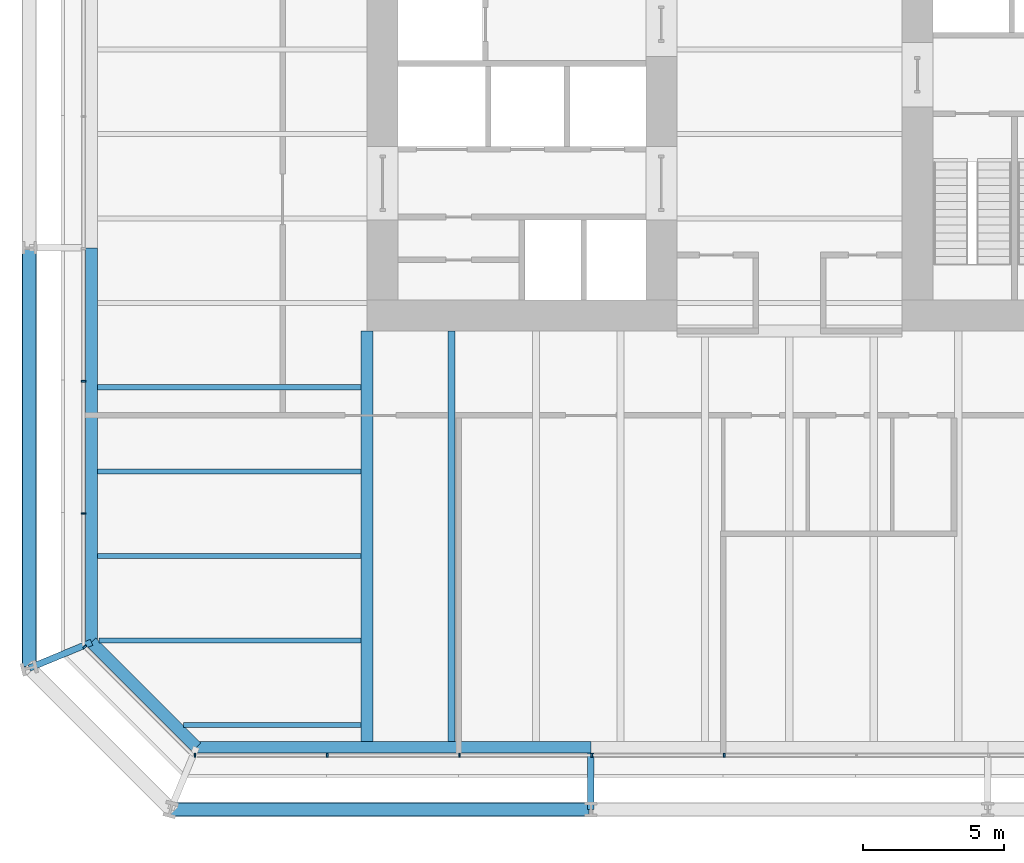
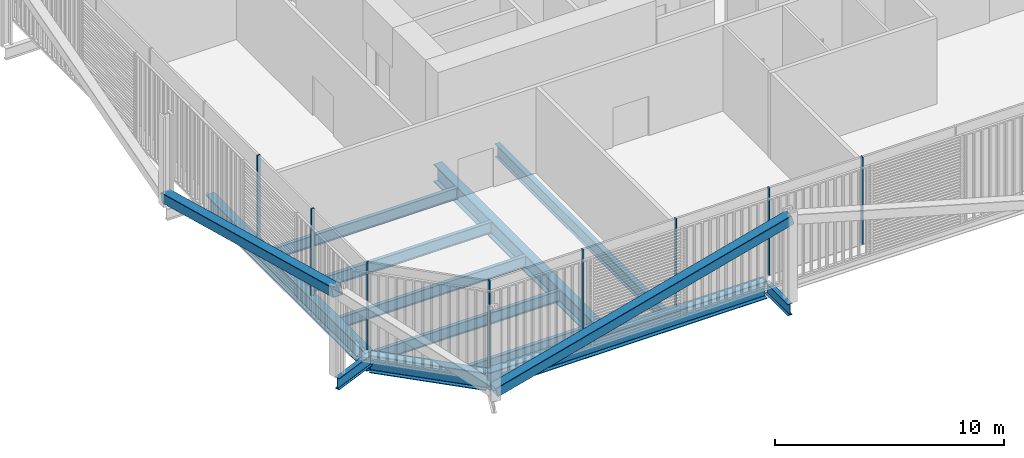
# One storey, part 2 of 22: 12 beams, 10 members, 3 elements without a shape of their own.
"""IFC4 building model written with IfcOpenShell, lengths in metres."""

from ifc_helpers import new_model, si_unit, direction, frame, origin, origin_2d, place, context, subcontext, project, spatial, rectangle, hollow_rectangle, i_section, extrude, material, layer, layer_set, material_profile, profile_set, type_object, element, aggregate, save


model = new_model("IFC4")

# Units and contexts
model_context = context("Model", 3, precision=1e-05, world=origin(), true_north=direction((0.0, 1.0)))
body_context = subcontext(model_context, "Body", "Model", "MODEL_VIEW")
ifc_project = project(units=[si_unit("LENGTHUNIT", "METRE"), si_unit("AREAUNIT", "SQUARE_METRE"), si_unit("VOLUMEUNIT", "CUBIC_METRE"), si_unit("PLANEANGLEUNIT", "RADIAN"), si_unit("MASSUNIT", "GRAM", prefix="KILO")], contexts=[model_context])

# Site, building, storey
site_placement = place(None, origin())
site = spatial("IfcSite", under=ifc_project, at=site_placement, CompositionType="ELEMENT")
building_placement = place(site_placement, origin())
building = spatial("IfcBuilding", under=site, at=building_placement, Name="Millrace Tower", CompositionType="ELEMENT")
storey_placement = place(building_placement, frame((0.0, 0.0, 30.5)))
storey = spatial("IfcBuildingStorey", under=building, at=storey_placement, Name="L07", CompositionType="ELEMENT", Elevation=30.5)

# Curtain wall, member
ifc_material_1 = material(Name="Aluminium and glass", Category="aluminium")
ifc_layer = layer(ifc_material_1, 0.14990234375)
ifc_layer_set = layer_set([ifc_layer], Name="Aluminium and glass")
curtain_wall_type = type_object("IfcCurtainWallType", Name="CW-2 data hall insulated curtain wall", PredefinedType="NOTDEFINED", material=ifc_layer_set)
placement = place(storey_placement, origin())
curtain_wall_1 = element("IfcCurtainWall", 1, at=placement, inside=storey, type_object=curtain_wall_type, Name="Curtain wall A-F01 L07", PredefinedType="NOTDEFINED")
ifc_material_2 = material(Name="Aluminium", Category="aluminium")
ifc_material_profile_1 = material_profile(ifc_material_2, rectangle(XDim=0.06494140625, YDim=0.14990234375, at=origin_2d()))
ifc_profile_set_1 = profile_set([ifc_material_profile_1], Name="Aluminium")
member_type_1 = type_object("IfcMemberType", Name="CW-2 data hall insulated curtain wall mullion", PredefinedType="MULLION", material=ifc_profile_set_1)
member_1_placement = place(storey_placement, frame((-25.030029296875, -21.22607421875, 0.159912109375), z_axis=(0.0, 0.0, 1.0), x_axis=(0.707106781187, -0.707106781187, 0.0)))
member_1 = element("IfcMember", 2, at=member_1_placement, type_object=member_type_1, Name="CW2 mullion A-F01.1", PredefinedType="MULLION", context=body_context, shape_type="SweptSolid", body=[
    extrude(rectangle(XDim=0.06494140625, YDim=0.14990234375, at=origin_2d()), origin(), (0.0, 0.0, 1.0), 4.64013671875),
])
aggregate(curtain_wall_1, [member_1])

# Curtain wall, members
curtain_wall_2 = element("IfcCurtainWall", 3, at=placement, inside=storey, type_object=curtain_wall_type, Name="Curtain wall A-F02 L07", PredefinedType="NOTDEFINED")
member_2_placement = place(storey_placement, frame((-21.117431640625, -25.074951171875, 0.159912109375), z_axis=(0.0, 0.0, 1.0), x_axis=(1.0, 0.0, 0.0)))
member_2 = element("IfcMember", 4, at=member_2_placement, type_object=member_type_1, Name="CW2 mullion A-F02.1", PredefinedType="MULLION", context=body_context, shape_type="SweptSolid", body=[
    extrude(rectangle(XDim=0.06494140625, YDim=0.14990234375, at=origin_2d()), origin(), (0.0, 0.0, 1.0), 4.64013671875),
])
member_3_placement = place(storey_placement, frame((-16.41748046875, -25.074951171875, 0.159912109375), z_axis=(0.0, 0.0, 1.0), x_axis=(1.0, 0.0, 0.0)))
member_3 = element("IfcMember", 5, at=member_3_placement, type_object=member_type_1, Name="CW2 mullion A-F02.2", PredefinedType="MULLION", context=body_context, shape_type="SweptSolid", body=[
    extrude(rectangle(XDim=0.06494140625, YDim=0.14990234375, at=origin_2d()), origin(), (0.0, 0.0, 1.0), 4.64013671875),
])
member_4_placement = place(storey_placement, frame((-11.717529296875, -25.074951171875, 0.159912109375), z_axis=(0.0, 0.0, 1.0), x_axis=(1.0, 0.0, 0.0)))
member_4 = element("IfcMember", 6, at=member_4_placement, type_object=member_type_1, Name="CW2 mullion A-F02.3", PredefinedType="MULLION", context=body_context, shape_type="SweptSolid", body=[
    extrude(rectangle(XDim=0.06494140625, YDim=0.14990234375, at=origin_2d()), origin(), (0.0, 0.0, 1.0), 4.64013671875),
])
member_5_placement = place(storey_placement, frame((-7.017578125, -25.074951171875, 0.159912109375), z_axis=(0.0, 0.0, 1.0), x_axis=(1.0, 0.0, 0.0)))
member_5 = element("IfcMember", 7, at=member_5_placement, type_object=member_type_1, Name="CW2 mullion A-F02.4", PredefinedType="MULLION", context=body_context, shape_type="SweptSolid", body=[
    extrude(rectangle(XDim=0.06494140625, YDim=0.14990234375, at=origin_2d()), origin(), (0.0, 0.0, 1.0), 4.64013671875),
])
member_6_placement = place(storey_placement, frame((-2.3173828125, -25.074951171875, 0.159912109375), z_axis=(0.0, 0.0, 1.0), x_axis=(1.0, 0.0, 0.0)))
member_6 = element("IfcMember", 8, at=member_6_placement, type_object=member_type_1, Name="CW2 mullion A-F02.5", PredefinedType="MULLION", context=body_context, shape_type="SweptSolid", body=[
    extrude(rectangle(XDim=0.06494140625, YDim=0.14990234375, at=origin_2d()), origin(), (0.0, 0.0, 1.0), 4.64013671875),
])
aggregate(curtain_wall_2, [member_2, member_3, member_4, member_5, member_6])

curtain_wall_3 = element("IfcCurtainWall", 9, at=placement, inside=storey, type_object=curtain_wall_type, Name="Curtain wall A-F08 L07", PredefinedType="NOTDEFINED")
member_7_placement = place(storey_placement, frame((-25.074951171875, -11.782470703125, 0.159912109375), z_axis=(0.0, 0.0, 1.0), x_axis=(0.0, -1.0, 0.0)))
member_7 = element("IfcMember", 10, at=member_7_placement, type_object=member_type_1, Name="CW2 mullion A-F08.8", PredefinedType="MULLION", context=body_context, shape_type="SweptSolid", body=[
    extrude(rectangle(XDim=0.06494140625, YDim=0.14990234375, at=origin_2d()), origin(), (0.0, 0.0, 1.0), 4.64013671875),
])
member_8_placement = place(storey_placement, frame((-25.074951171875, -16.482421875, 0.159912109375), z_axis=(0.0, 0.0, 1.0), x_axis=(0.0, -1.0, 0.0)))
member_8 = element("IfcMember", 11, at=member_8_placement, type_object=member_type_1, Name="CW2 mullion A-F08.9", PredefinedType="MULLION", context=body_context, shape_type="SweptSolid", body=[
    extrude(rectangle(XDim=0.06494140625, YDim=0.14990234375, at=origin_2d()), origin(), (0.0, 0.0, 1.0), 4.64013671875),
])
aggregate(curtain_wall_3, [member_7, member_8])

# Members
ifc_material_3 = material(Name="Steel ASTM A500 Grade C", Category="steel")
ifc_material_profile_2 = material_profile(ifc_material_3, hollow_rectangle(XDim=0.508056640625, YDim=0.508056640625, WallThickness=0.022216796875, InnerFilletRadius=0.01123046875, OuterFilletRadius=0.033447265625, at=origin_2d()))
ifc_profile_set_2 = profile_set([ifc_material_profile_2], Name="Steel ASTM A500 Grade C")
member_type_2 = type_object("IfcMemberType", Name="Exoskeleton brace HSS20x20x7/8", PredefinedType="BRACE", material=ifc_profile_set_2)
for number, where, z_axis, x_axis, name in (
    (12, (-21.978515625, -27.0, 0.39990234375), (0.965926968663, 0.0, 0.258814781667), (0.0, 1.0, 0.0), "BRC-A-L07-02"),
    (13, (-27.0, -7.050048828125, 0.39990234375), (0.0, -0.965926968663, 0.258814781667), (1.0, 0.0, 0.0), "BRC-A-L07-16"),
):
    element("IfcMember", number, at=place(storey_placement, frame(where, z_axis=z_axis, x_axis=x_axis)), inside=storey, type_object=member_type_2, Name=name, PredefinedType="BRACE", context=body_context, shape_type="SweptSolid", body=[
        extrude(hollow_rectangle(XDim=0.508056640625, YDim=0.508056640625, WallThickness=0.022216796875, InnerFilletRadius=0.01123046875, OuterFilletRadius=0.033447265625, at=origin_2d()), origin(), (0.0, 0.0, 1.0), 15.455078125),
    ])

# Beams
ifc_material_4 = material(Name="Steel ASTM A992 Grade 50", Category="steel")
ifc_material_profile_3 = material_profile(ifc_material_4, i_section(OverallWidth=0.177978515625, OverallDepth=0.599365234375, WebThickness=0.010009765625, FlangeThickness=0.012939453125, FilletRadius=0.012939453125, at=origin_2d()))
ifc_profile_set_3 = profile_set([ifc_material_profile_3], Name="Steel ASTM A992 Grade 50")
beam_type_1 = type_object("IfcBeamType", Name="Floor beam W24x55", PredefinedType="JOIST", material=ifc_profile_set_3)
beam_1_placement = place(storey_placement, frame((-21.52978515625, -24.0, -0.524658203125), z_axis=(1.0, 0.0, 0.0), x_axis=(0.0, 1.0, 0.0)))
element("IfcBeam", 14, at=beam_1_placement, inside=storey, type_object=beam_type_1, Name="BM-A-L07-S1-S001", PredefinedType="JOIST", context=body_context, shape_type="SweptSolid", body=[
    extrude(i_section(OverallWidth=0.177978515625, OverallDepth=0.599365234375, WebThickness=0.010009765625, FlangeThickness=0.012939453125, FilletRadius=0.012939453125, at=origin_2d()), origin(), (0.0, 0.0, 1.0), 6.317626953125),
])
ifc_material_5 = material(Name="Steel ASTM A992 Grade 50", Category="steel")
ifc_material_profile_4 = material_profile(ifc_material_5, i_section(OverallWidth=0.1787109375, OverallDepth=0.60205078125, WebThickness=0.010986328125, FlangeThickness=0.014892578125, FilletRadius=0.0126953125, at=origin_2d()))
ifc_profile_set_4 = profile_set([ifc_material_profile_4], Name="Steel ASTM A992 Grade 50")
beam_type_2 = type_object("IfcBeamType", Name="Floor beam W24x62", PredefinedType="JOIST", material=ifc_profile_set_4)
for number, where, z_axis, x_axis, name in (
    (15, (-24.578369140625, -18.0, -0.52587890625), (1.0, 0.0, 0.0), (0.0, 1.0, 0.0), "BM-A-L07-S1-S005"),
    (16, (-24.578369140625, -15.0, -0.52587890625), (1.0, 0.0, 0.0), (0.0, 1.0, 0.0), "BM-A-L07-S1-S007"),
    (17, (-24.578369140625, -12.0, -0.52587890625), (1.0, 0.0, 0.0), (0.0, 1.0, 0.0), "BM-A-L07-S1-S009"),
):
    element("IfcBeam", number, at=place(storey_placement, frame(where, z_axis=z_axis, x_axis=x_axis)), inside=storey, type_object=beam_type_2, Name=name, PredefinedType="JOIST", context=body_context, shape_type="SweptSolid", body=[
        extrude(i_section(OverallWidth=0.1787109375, OverallDepth=0.60205078125, WebThickness=0.010986328125, FlangeThickness=0.014892578125, FilletRadius=0.0126953125, at=origin_2d()), origin(), (0.0, 0.0, 1.0), 9.3662109375),
    ])
beam_2_placement = place(storey_placement, frame((-24.52978515625, -21.0, -0.52587890625), z_axis=(1.0, 0.0, 0.0), x_axis=(0.0, 1.0, 0.0)))
element("IfcBeam", 18, at=beam_2_placement, inside=storey, type_object=beam_type_2, Name="BM-A-L07-S1-S003", PredefinedType="JOIST", context=body_context, shape_type="SweptSolid", body=[
    extrude(i_section(OverallWidth=0.1787109375, OverallDepth=0.60205078125, WebThickness=0.010986328125, FlangeThickness=0.014892578125, FilletRadius=0.0126953125, at=origin_2d()), origin(), (0.0, 0.0, 1.0), 9.317626953125),
])
ifc_material_6 = material(Name="Steel ASTM A992 Grade 50", Category="steel")
ifc_material_profile_5 = material_profile(ifc_material_6, i_section(OverallWidth=0.256591796875, OverallDepth=0.693359375, WebThickness=0.014404296875, FlangeThickness=0.023681640625, FilletRadius=0.01513671875, at=origin_2d()))
ifc_profile_set_5 = profile_set([ifc_material_profile_5], Name="Steel ASTM A992 Grade 50")
beam_type_3 = type_object("IfcBeamType", Name="Floor beam W27x114", PredefinedType="JOIST", material=ifc_profile_set_5)
beam_3_placement = place(storey_placement, frame((-12.0, -24.578369140625, -0.57177734375), z_axis=(0.0, 1.0, 0.0), x_axis=(-1.0, 0.0, 0.0)))
element("IfcBeam", 19, at=beam_3_placement, inside=storey, type_object=beam_type_3, Name="BM-A-L07-S1-S043", PredefinedType="JOIST", context=body_context, shape_type="SweptSolid", body=[
    extrude(i_section(OverallWidth=0.256591796875, OverallDepth=0.693359375, WebThickness=0.014404296875, FlangeThickness=0.023681640625, FilletRadius=0.01513671875, at=origin_2d()), origin(), (0.0, 0.0, 1.0), 14.578369140625),
])
ifc_material_7 = material(Name="Steel ASTM A992 Grade 50", Category="steel")
ifc_material_profile_6 = material_profile(ifc_material_7, i_section(OverallWidth=0.424072265625, OverallDepth=0.947509765625, WebThickness=0.02392578125, FlangeThickness=0.042724609375, FilletRadius=0.024169921875, at=origin_2d()))
ifc_profile_set_6 = profile_set([ifc_material_profile_6], Name="Steel ASTM A992 Grade 50")
beam_type_4 = type_object("IfcBeamType", Name="Girder medium span W36x302", PredefinedType="BEAM", material=ifc_profile_set_6)
beam_4_placement = place(storey_placement, frame((-15.0, -24.578369140625, -0.69873046875), z_axis=(0.0, 1.0, 0.0), x_axis=(-1.0, 0.0, 0.0)))
element("IfcBeam", 20, at=beam_4_placement, inside=storey, type_object=beam_type_4, Name="BM-A-L07-S1-G061", PredefinedType="BEAM", context=body_context, shape_type="SweptSolid", body=[
    extrude(i_section(OverallWidth=0.424072265625, OverallDepth=0.947509765625, WebThickness=0.02392578125, FlangeThickness=0.042724609375, FilletRadius=0.024169921875, at=origin_2d()), origin(), (0.0, 0.0, 1.0), 14.578369140625),
])
ifc_material_8 = material(Name="Steel ASTM A992 Grade 50", Category="steel")
ifc_material_profile_7 = material_profile(ifc_material_8, i_section(OverallWidth=0.23046875, OverallDepth=0.6171875, WebThickness=0.01318359375, FlangeThickness=0.022216796875, FilletRadius=0.012939453125, at=origin_2d()))
ifc_profile_set_7 = profile_set([ifc_material_profile_7], Name="Steel ASTM A992 Grade 50")
beam_type_5 = type_object("IfcBeamType", Name="Link beam W24x94", PredefinedType="BEAM", material=ifc_profile_set_7)
beam_5_placement = place(storey_placement, frame((-24.7890625, -21.062744140625, -0.53369140625), z_axis=(-0.923883789366, -0.382673155247, 0.0), x_axis=(0.382673155247, -0.923883789366, 0.0)))
element("IfcBeam", 21, at=beam_5_placement, inside=storey, type_object=beam_type_5, Name="LNK-A-L07-S1-01", PredefinedType="BEAM", context=body_context, shape_type="SweptSolid", body=[
    extrude(i_section(OverallWidth=0.23046875, OverallDepth=0.6171875, WebThickness=0.01318359375, FlangeThickness=0.022216796875, FilletRadius=0.012939453125, at=origin_2d()), origin(), (0.0, 0.0, 1.0), 2.39306640625),
])
beam_6_placement = place(storey_placement, frame((-7.050048828125, -25.0, -0.53369140625), z_axis=(0.0, -1.0, 0.0), x_axis=(1.0, 0.0, 0.0)))
element("IfcBeam", 22, at=beam_6_placement, inside=storey, type_object=beam_type_5, Name="LNK-A-L07-S1-15", PredefinedType="BEAM", context=body_context, shape_type="SweptSolid", body=[
    extrude(i_section(OverallWidth=0.23046875, OverallDepth=0.6171875, WebThickness=0.01318359375, FlangeThickness=0.022216796875, FilletRadius=0.012939453125, at=origin_2d()), origin(), (0.0, 0.0, 1.0), 2.0),
])
ifc_material_9 = material(Name="Steel ASTM A992 Grade 50", Category="steel")
ifc_material_profile_8 = material_profile(ifc_material_9, i_section(OverallWidth=0.421630859375, OverallDepth=0.937255859375, WebThickness=0.021240234375, FlangeThickness=0.03662109375, FilletRadius=0.024169921875, at=origin_2d()))
ifc_profile_set_8 = profile_set([ifc_material_profile_8], Name="Steel ASTM A992 Grade 50")
beam_type_6 = type_object("IfcBeamType", Name="Ring beam medium span W36x262", PredefinedType="SPANDREL", material=ifc_profile_set_8)
for number, where, z_axis, x_axis, name in (
    (23, (-24.7890625, -21.062744140625, -0.693603515625), (0.0, 1.0, 0.0), (-1.0, 0.0, 0.0), "RNG-A-L07-S1-01"),
    (24, (-7.050048828125, -24.7890625, -0.693603515625), (-1.0, 0.0, 0.0), (0.0, -1.0, 0.0), "RNG-A-L07-S1-15"),
):
    element("IfcBeam", number, at=place(storey_placement, frame(where, z_axis=z_axis, x_axis=x_axis)), inside=storey, type_object=beam_type_6, Name=name, PredefinedType="SPANDREL", context=body_context, shape_type="SweptSolid", body=[
        extrude(i_section(OverallWidth=0.421630859375, OverallDepth=0.937255859375, WebThickness=0.021240234375, FlangeThickness=0.03662109375, FilletRadius=0.024169921875, at=origin_2d()), origin(), (0.0, 0.0, 1.0), 14.0126953125),
    ])
ifc_material_10 = material(Name="Steel ASTM A992 Grade 50", Category="steel")
ifc_material_profile_9 = material_profile(ifc_material_10, i_section(OverallWidth=0.421630859375, OverallDepth=0.937255859375, WebThickness=0.021240234375, FlangeThickness=0.03662109375, FilletRadius=0.024169921875, at=origin_2d()))
ifc_profile_set_9 = profile_set([ifc_material_profile_9], Name="Steel ASTM A992 Grade 50")
beam_type_7 = type_object("IfcBeamType", Name="Ring beam short span W36x262", PredefinedType="SPANDREL", material=ifc_profile_set_9)
beam_7_placement = place(storey_placement, frame((-21.062744140625, -24.7890625, -0.693603515625), z_axis=(-0.707106781187, 0.707106781187, 0.0), x_axis=(-0.707106781187, -0.707106781187, 0.0)))
element("IfcBeam", 25, at=beam_7_placement, inside=storey, type_object=beam_type_7, Name="RNG-A-L07-S1-16", PredefinedType="SPANDREL", context=body_context, shape_type="SweptSolid", body=[
    extrude(i_section(OverallWidth=0.421630859375, OverallDepth=0.937255859375, WebThickness=0.021240234375, FlangeThickness=0.03662109375, FilletRadius=0.024169921875, at=origin_2d()), origin(), (0.0, 0.0, 1.0), 5.269775390625),
])

save(model, "model.ifc")
